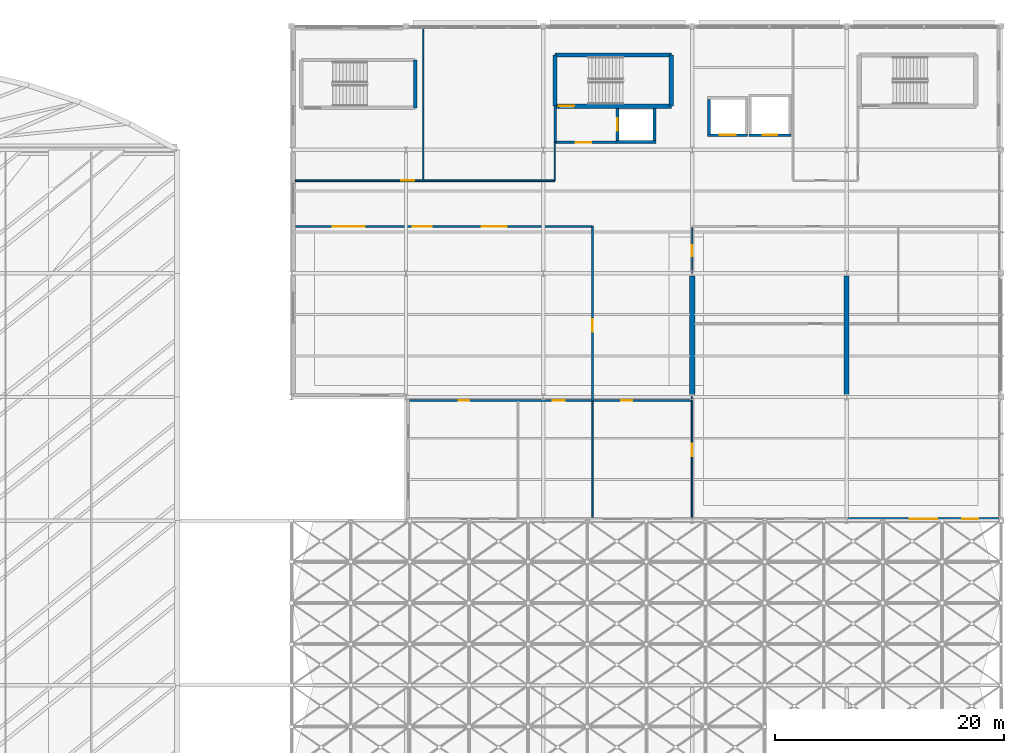
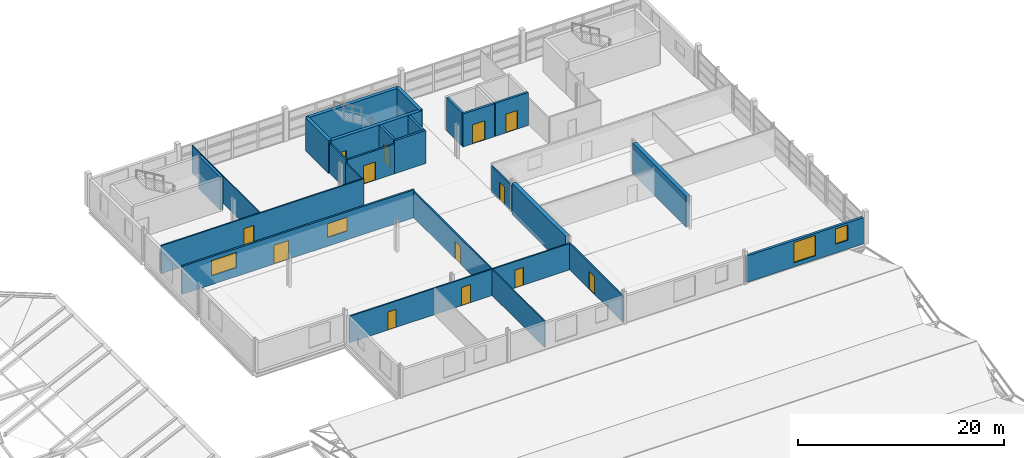
# One storey, part 103 of 110: 25 walls, 13 doors, 4 windows, 17 openings.
"""IFC4 building model written with IfcOpenShell, lengths in metres."""

from ifc_helpers import new_model, si_unit, direction, frame, frame_2d, origin, place, context, subcontext, project, spatial, rectangle, extrude, material, layer, layer_set, type_object, element, fill, save


model = new_model("IFC4")

# Units and contexts
model_context = context("Model", 3, precision=1e-05, world=origin(), true_north=direction((0.0, 1.0)))
body_context = subcontext(model_context, "Body", "Model", "MODEL_VIEW")
ifc_project = project(units=[si_unit("LENGTHUNIT", "METRE"), si_unit("AREAUNIT", "SQUARE_METRE"), si_unit("VOLUMEUNIT", "CUBIC_METRE"), si_unit("PLANEANGLEUNIT", "RADIAN"), si_unit("MASSUNIT", "GRAM", prefix="KILO")], contexts=[model_context])

# Site, building, storey
site_placement = place(None, origin())
site = spatial("IfcSite", under=ifc_project, at=site_placement, CompositionType="ELEMENT")
building_placement = place(site_placement, origin())
building = spatial("IfcBuilding", under=site, at=building_placement, Name="Tamarisk Ironworks Central Station", CompositionType="ELEMENT")
storey_placement = place(building_placement, frame((0.0, 0.0, 17.39990234375)))
storey = spatial("IfcBuildingStorey", under=building, at=storey_placement, Name="L03", CompositionType="ELEMENT", Elevation=17.39990234375)

# Wall, openings, windows
ifc_material_1 = material(Name="Clay facing brickwork and mortar", Category="masonry")
ifc_layer_1 = layer(ifc_material_1, 0.280029296875)
ifc_layer_set_1 = layer_set([ifc_layer_1], Name="Clay facing brickwork and mortar")
wall_type_1 = type_object("IfcWallType", Name="WL-BR280", PredefinedType="STANDARD", material=ifc_layer_set_1)
wall_1_placement = place(storey_placement, frame((166.64794921875, 79.340087890625, 0.0), z_axis=(0.0, 0.0, 1.0), x_axis=(1.0, 0.0, 0.0)))
wall_1 = element("IfcWall", 1, at=wall_1_placement, inside=storey, type_object=wall_type_1, Name="L03 brick facade wall 0082", PredefinedType="STANDARD", context=body_context, shape_type="SweptSolid", body=[
    extrude(rectangle(XDim=13.10400390625, YDim=0.280029296875, at=frame_2d((6.552001953125, 0.0))), origin(), (0.0, 0.0, 1.0), 3.1201171875),
])
opening_1_placement = place(wall_1_placement, frame((5.35205078125, 0.0, 0.47998046875)))
opening_1 = element("IfcOpeningElement", 2, at=opening_1_placement, cuts=wall_1, Name="Opening W06", PredefinedType="OPENING", context=body_context, shape_type="SweptSolid", body=[
    extrude(rectangle(XDim=2.39990234375, YDim=2.39990234375, at=frame_2d((1.199951171875, 1.199951171875))), frame((0.0, 0.15185546875, 0.0), z_axis=(0.0, -1.0, 0.0), x_axis=(1.0, 0.0, 0.0)), (0.0, 0.0, 1.0), 0.303955078125),
])
opening_2_placement = place(wall_1_placement, frame((9.952880859375, 0.0, 1.050048828125)))
opening_2 = element("IfcOpeningElement", 3, at=opening_2_placement, cuts=wall_1, Name="Opening W12", PredefinedType="OPENING", context=body_context, shape_type="SweptSolid", body=[
    extrude(rectangle(XDim=1.39990234375, YDim=1.800048828125, at=frame_2d((0.699951171875, 0.89990234375))), frame((0.0, 0.15185546875, 0.0), z_axis=(0.0, -1.0, 0.0), x_axis=(1.0, 0.0, 0.0)), (0.0, 0.0, 1.0), 0.303955078125),
])
ifc_material_2 = material(Name="Laminated solar-control low-E glass", Category="glass")
window_type_1 = type_object("IfcWindowType", Name="WN-06", PartitioningType="SINGLE_PANEL", PredefinedType="WINDOW", material=ifc_material_2)
window_1_placement = place(opening_1_placement, origin())
window_1 = element("IfcWindow", 4, at=window_1_placement, inside=storey, type_object=window_type_1, Name="L03 exterior window 0141", OverallHeight=2.39990234375, OverallWidth=2.39990234375, PartitioningType="DOUBLE_PANEL_VERTICAL", PredefinedType="WINDOW", context=body_context, shape_type="SweptSolid", body=[
    extrude(rectangle(XDim=2.39990234375, YDim=2.39990234375, at=frame_2d((1.199951171875, 1.199951171875))), frame((0.0, 0.030029296875, 0.0), z_axis=(0.0, -1.0, 0.0), x_axis=(1.0, 0.0, 0.0)), (0.0, 0.0, 1.0), 0.06005859375),
])
fill(opening_1, window_1)
window_type_2 = type_object("IfcWindowType", Name="WN-12", PartitioningType="SINGLE_PANEL", PredefinedType="WINDOW", material=ifc_material_2)
window_2_placement = place(opening_2_placement, origin())
window_2 = element("IfcWindow", 5, at=window_2_placement, inside=storey, type_object=window_type_2, Name="L03 exterior window 0142", OverallHeight=1.800048828125, OverallWidth=1.39990234375, PartitioningType="DOUBLE_PANEL_VERTICAL", PredefinedType="WINDOW", context=body_context, shape_type="SweptSolid", body=[
    extrude(rectangle(XDim=1.39990234375, YDim=1.800048828125, at=frame_2d((0.699951171875, 0.89990234375))), frame((0.0, 0.030029296875, 0.0), z_axis=(0.0, -1.0, 0.0), x_axis=(1.0, 0.0, 0.0)), (0.0, 0.0, 1.0), 0.06005859375),
])
fill(opening_2, window_2)

# Wall
ifc_material_3 = material(Name="Concrete C50/60", Category="concrete")
ifc_layer_2 = layer(ifc_material_3, 0.300048828125)
ifc_layer_set_2 = layer_set([ifc_layer_2], Name="Concrete C50/60")
wall_type_2 = type_object("IfcWallType", Name="WL-CW300", PredefinedType="SOLIDWALL", material=ifc_layer_set_2)
wall_2_placement = place(storey_placement, frame((128.794921875, 115.2548828125, 0.0), z_axis=(0.0, 0.0, 1.0), x_axis=(0.0, 1.0, 0.0)))
element("IfcWall", 6, at=wall_2_placement, inside=storey, type_object=wall_type_2, Name="ST-C5 core wall F (L03)", PredefinedType="SOLIDWALL", context=body_context, shape_type="SweptSolid", body=[
    extrude(rectangle(XDim=4.190185546875, YDim=0.300048828125, at=frame_2d((2.09521484375, 0.0))), origin(), (0.0, 0.0, 1.0), 3.900146484375),
])

# Wall, opening, door
ifc_layer_3 = layer(ifc_material_3, 0.3798828125)
ifc_layer_set_3 = layer_set([ifc_layer_3], Name="Concrete C50/60")
wall_type_3 = type_object("IfcWallType", Name="WL-CW380", PredefinedType="SOLIDWALL", material=ifc_layer_set_3)
wall_3_placement = place(storey_placement, frame((141.014892578125, 115.4150390625, 0.0), z_axis=(0.0, 0.0, 1.0), x_axis=(1.0, 0.0, 0.0)))
wall_3 = element("IfcWall", 7, at=wall_3_placement, inside=storey, type_object=wall_type_3, Name="ST-C1 core wall L (L03)", PredefinedType="SOLIDWALL", context=body_context, shape_type="SweptSolid", body=[
    extrude(rectangle(XDim=10.170166015625, YDim=0.3798828125, at=frame_2d((5.0849609375, 0.0))), origin(), (0.0, 0.0, 1.0), 3.900146484375),
])
opening_3_placement = place(wall_3_placement, frame((0.35009765625, 0.0, 0.0048828125)))
opening_3 = element("IfcOpeningElement", 8, at=opening_3_placement, cuts=wall_3, Name="Opening FD05", PredefinedType="OPENING", context=body_context, shape_type="SweptSolid", body=[
    extrude(rectangle(XDim=1.35009765625, YDim=2.14990234375, at=frame_2d((0.675048828125, 1.074951171875))), frame((0.0, 0.201904296875, 0.0), z_axis=(0.0, -1.0, 0.0), x_axis=(1.0, 0.0, 0.0)), (0.0, 0.0, 1.0), 0.40380859375),
])
ifc_material_4 = material(Name="Galvanised hollow-metal door steel", Category="steel")
door_type_1 = type_object("IfcDoorType", Name="DR-FD05", OperationType="NOTDEFINED", PredefinedType="DOOR", material=ifc_material_4)
door_1_placement = place(opening_3_placement, origin())
door_1 = element("IfcDoor", 9, at=door_1_placement, inside=storey, type_object=door_type_1, Name="ST-C1 fire stair door (L03)", OperationType="SINGLE_SWING_RIGHT", OverallHeight=2.14990234375, OverallWidth=1.35009765625, PredefinedType="DOOR", context=body_context, shape_type="SweptSolid", body=[
    extrude(rectangle(XDim=1.35009765625, YDim=2.14990234375, at=frame_2d((0.675048828125, 1.074951171875))), frame((0.0, 0.02490234375, 0.0), z_axis=(0.0, -1.0, 0.0), x_axis=(1.0, 0.0, 0.0)), (0.0, 0.0, 1.0), 0.050048828125),
])
fill(opening_3, door_1)

# Walls
wall_4_placement = place(storey_placement, frame((141.014892578125, 119.885009765625, 0.0), z_axis=(0.0, 0.0, 1.0), x_axis=(1.0, 0.0, 0.0)))
element("IfcWall", 10, at=wall_4_placement, inside=storey, type_object=wall_type_3, Name="ST-C1 core wall R (L03)", PredefinedType="SOLIDWALL", context=body_context, shape_type="SweptSolid", body=[
    extrude(rectangle(XDim=10.170166015625, YDim=0.3798828125, at=frame_2d((5.0849609375, 0.0))), origin(), (0.0, 0.0, 1.0), 3.900146484375),
])
for number, where, z_axis, x_axis, name in (
    (11, (141.014892578125, 115.4150390625, 0.0), (0.0, 0.0, 1.0), (0.0, 1.0, 0.0), "ST-C1 core wall N (L03)"),
    (12, (151.18505859375, 115.4150390625, 0.0), (0.0, 0.0, 1.0), (0.0, 1.0, 0.0), "ST-C1 core wall F (L03)"),
):
    element("IfcWall", number, at=place(storey_placement, frame(where, z_axis=z_axis, x_axis=x_axis)), inside=storey, type_object=wall_type_3, Name=name, PredefinedType="SOLIDWALL", context=body_context, shape_type="SweptSolid", body=[
        extrude(rectangle(XDim=4.469970703125, YDim=0.3798828125, at=frame_2d((2.23486328125, 0.0))), origin(), (0.0, 0.0, 1.0), 3.900146484375),
    ])
ifc_material_5 = material(Name="Gypsum plasterboard acoustic partition")
ifc_layer_4 = layer(ifc_material_5, 0.10009765625)
ifc_layer_set_4 = layer_set([ifc_layer_4], Name="Gypsum plasterboard acoustic partition")
wall_type_4 = type_object("IfcWallType", Name="WL-MV100", PredefinedType="MOVABLE", material=ifc_layer_set_4)
wall_5_placement = place(storey_placement, frame((129.5, 108.972900390625, 0.0), z_axis=(0.0, 0.0, 1.0), x_axis=(0.0, 1.0, 0.0)))
element("IfcWall", 13, at=wall_5_placement, inside=storey, type_object=wall_type_4, Name="L03 acoustic operable folding partition 03", PredefinedType="MOVABLE", context=body_context, shape_type="SweptSolid", body=[
    extrude(rectangle(XDim=13.189208984375, YDim=0.10009765625, at=frame_2d((6.5947265625, 0.0))), origin(), (0.0, 0.0, 1.0), 3.22021484375),
])
ifc_layer_5 = layer(ifc_material_5, 0.1201171875)
ifc_layer_set_5 = layer_set([ifc_layer_5], Name="Gypsum plasterboard acoustic partition")
wall_type_5 = type_object("IfcWallType", Name="WL-PT120", PredefinedType="PARTITIONING", material=ifc_layer_set_5)
wall_6_placement = place(storey_placement, frame((141.0, 108.89990234375, 0.0), z_axis=(0.0, 0.0, 1.0), x_axis=(0.0, 1.0, 0.0)))
element("IfcWall", 14, at=wall_6_placement, inside=storey, type_object=wall_type_5, Name="L03 interior partition 0108", PredefinedType="PARTITIONING", context=body_context, shape_type="SweptSolid", body=[
    extrude(rectangle(XDim=3.400146484375, YDim=0.1201171875, at=frame_2d((1.7001953125, 0.0))), origin(), (0.0, 0.0, 1.0), 3.1201171875),
])
wall_7_placement = place(storey_placement, frame((144.300048828125, 79.47802734375, 0.0), z_axis=(0.0, 0.0, 1.0), x_axis=(0.0, 1.0, 0.0)))
element("IfcWall", 15, at=wall_7_placement, inside=storey, type_object=wall_type_5, Name="L03 interior partition 0114", PredefinedType="PARTITIONING", context=body_context, shape_type="SweptSolid", body=[
    extrude(rectangle(XDim=10.14892578125, YDim=0.1201171875, at=frame_2d((5.074462890625, 0.0))), origin(), (0.0, 0.0, 1.0), 3.1201171875),
])

# Wall, opening, door
ifc_layer_6 = layer(ifc_material_5, 0.14990234375)
ifc_layer_set_6 = layer_set([ifc_layer_6], Name="Gypsum plasterboard acoustic partition")
wall_type_6 = type_object("IfcWallType", Name="WL-PT150", PredefinedType="PARTITIONING", material=ifc_layer_set_6)
wall_8_placement = place(storey_placement, frame((144.300048828125, 89.699951171875, 0.0), z_axis=(0.0, 0.0, 1.0), x_axis=(0.0, 1.0, 0.0)))
wall_8 = element("IfcWall", 16, at=wall_8_placement, inside=storey, type_object=wall_type_6, Name="L03 interior partition 0103", PredefinedType="PARTITIONING", context=body_context, shape_type="SweptSolid", body=[
    extrude(rectangle(XDim=15.199951171875, YDim=0.14990234375, at=frame_2d((7.60009765625, 0.0))), origin(), (0.0, 0.0, 1.0), 3.1201171875),
])
opening_4_placement = place(wall_8_placement, frame((6.0, 0.0, 0.0048828125)))
opening_4 = element("IfcOpeningElement", 17, at=opening_4_placement, cuts=wall_8, Name="Opening D05", PredefinedType="OPENING", context=body_context, shape_type="SweptSolid", body=[
    extrude(rectangle(XDim=1.10009765625, YDim=2.10009765625, at=frame_2d((0.550048828125, 1.050048828125))), frame((0.0, 0.0869140625, 0.0), z_axis=(0.0, -1.0, 0.0), x_axis=(1.0, 0.0, 0.0)), (0.0, 0.0, 1.0), 0.173828125),
])
ifc_material_6 = material(Name="FSC certified tropical hardwood timber", Category="wood")
door_type_2 = type_object("IfcDoorType", Name="DR-ID05", OperationType="NOTDEFINED", PredefinedType="DOOR", material=ifc_material_6)
door_2_placement = place(opening_4_placement, origin())
door_2 = element("IfcDoor", 18, at=door_2_placement, inside=storey, type_object=door_type_2, Name="L03 room door 0075", OperationType="SINGLE_SWING_LEFT", OverallHeight=2.10009765625, OverallWidth=1.10009765625, PredefinedType="DOOR", context=body_context, shape_type="SweptSolid", body=[
    extrude(rectangle(XDim=1.10009765625, YDim=2.10009765625, at=frame_2d((0.550048828125, 1.050048828125))), frame((0.0, 0.02490234375, 0.0), z_axis=(0.0, -1.0, 0.0), x_axis=(1.0, 0.0, 0.0)), (0.0, 0.0, 1.0), 0.050048828125),
])
fill(opening_4, door_2)

wall_9_placement = place(storey_placement, frame((153.0, 79.47802734375, 0.0), z_axis=(0.0, 0.0, 1.0), x_axis=(0.0, 1.0, 0.0)))
wall_9 = element("IfcWall", 19, at=wall_9_placement, inside=storey, type_object=wall_type_6, Name="L03 interior partition 0104", PredefinedType="PARTITIONING", context=body_context, shape_type="SweptSolid", body=[
    extrude(rectangle(XDim=10.52197265625, YDim=0.14990234375, at=frame_2d((5.260986328125, 0.0))), origin(), (0.0, 0.0, 1.0), 3.1201171875),
])
opening_5_placement = place(wall_9_placement, frame((5.322021484375, 0.0, 0.0048828125)))
opening_5 = element("IfcOpeningElement", 20, at=opening_5_placement, cuts=wall_9, Name="Opening D05", PredefinedType="OPENING", context=body_context, shape_type="SweptSolid", body=[
    extrude(rectangle(XDim=1.10009765625, YDim=2.10009765625, at=frame_2d((0.550048828125, 1.050048828125))), frame((0.0, 0.0869140625, 0.0), z_axis=(0.0, -1.0, 0.0), x_axis=(1.0, 0.0, 0.0)), (0.0, 0.0, 1.0), 0.173828125),
])
door_3_placement = place(opening_5_placement, origin())
door_3 = element("IfcDoor", 21, at=door_3_placement, inside=storey, type_object=door_type_2, Name="L03 room door 0076", OperationType="SINGLE_SWING_RIGHT", OverallHeight=2.10009765625, OverallWidth=1.10009765625, PredefinedType="DOOR", context=body_context, shape_type="SweptSolid", body=[
    extrude(rectangle(XDim=1.10009765625, YDim=2.10009765625, at=frame_2d((0.550048828125, 1.050048828125))), frame((0.0, 0.02490234375, 0.0), z_axis=(0.0, -1.0, 0.0), x_axis=(1.0, 0.0, 0.0)), (0.0, 0.0, 1.0), 0.050048828125),
])
fill(opening_5, door_3)

wall_10_placement = place(storey_placement, frame((153.0, 100.800048828125, 0.0), z_axis=(0.0, 0.0, 1.0), x_axis=(0.0, 1.0, 0.0)))
wall_10 = element("IfcWall", 22, at=wall_10_placement, inside=storey, type_object=wall_type_6, Name="L03 interior partition 0105", PredefinedType="PARTITIONING", context=body_context, shape_type="SweptSolid", body=[
    extrude(rectangle(XDim=4.001953125, YDim=0.14990234375, at=frame_2d((2.0009765625, 0.0))), origin(), (0.0, 0.0, 1.0), 3.1201171875),
])
opening_6_placement = place(wall_10_placement, frame((1.5, 0.0, 0.0048828125)))
opening_6 = element("IfcOpeningElement", 23, at=opening_6_placement, cuts=wall_10, Name="Opening D07", PredefinedType="OPENING", context=body_context, shape_type="SweptSolid", body=[
    extrude(rectangle(XDim=0.949951171875, YDim=2.10009765625, at=frame_2d((0.47509765625, 1.050048828125))), frame((0.0, 0.0869140625, 0.0), z_axis=(0.0, -1.0, 0.0), x_axis=(1.0, 0.0, 0.0)), (0.0, 0.0, 1.0), 0.173828125),
])
door_type_3 = type_object("IfcDoorType", Name="DR-ID07", OperationType="NOTDEFINED", PredefinedType="DOOR", material=ifc_material_6)
door_4_placement = place(opening_6_placement, origin())
door_4 = element("IfcDoor", 24, at=door_4_placement, inside=storey, type_object=door_type_3, Name="L03 room door 0077", OperationType="SINGLE_SWING_RIGHT", OverallHeight=2.10009765625, OverallWidth=0.949951171875, PredefinedType="DOOR", context=body_context, shape_type="SweptSolid", body=[
    extrude(rectangle(XDim=0.949951171875, YDim=2.10009765625, at=frame_2d((0.47509765625, 1.050048828125))), frame((0.0, 0.02490234375, 0.0), z_axis=(0.0, -1.0, 0.0), x_axis=(1.0, 0.0, 0.0)), (0.0, 0.0, 1.0), 0.050048828125),
])
fill(opening_6, door_4)

wall_11_placement = place(storey_placement, frame((118.337890625, 108.89990234375, 0.0), z_axis=(0.0, 0.0, 1.0), x_axis=(1.0, 0.0, 0.0)))
wall_11 = element("IfcWall", 25, at=wall_11_placement, inside=storey, type_object=wall_type_6, Name="L03 interior partition 0107", PredefinedType="PARTITIONING", context=body_context, shape_type="SweptSolid", body=[
    extrude(rectangle(XDim=22.662109375, YDim=0.14990234375, at=frame_2d((11.3310546875, 0.0))), origin(), (0.0, 0.0, 1.0), 3.31005859375),
])
opening_7_placement = place(wall_11_placement, frame((9.261962890625, 0.0, 0.0048828125)))
opening_7 = element("IfcOpeningElement", 26, at=opening_7_placement, cuts=wall_11, Name="Opening D05", PredefinedType="OPENING", context=body_context, shape_type="SweptSolid", body=[
    extrude(rectangle(XDim=1.10009765625, YDim=2.10009765625, at=frame_2d((0.550048828125, 1.050048828125))), frame((0.0, 0.0869140625, 0.0), z_axis=(0.0, -1.0, 0.0), x_axis=(1.0, 0.0, 0.0)), (0.0, 0.0, 1.0), 0.173828125),
])
door_5_placement = place(opening_7_placement, origin())
door_5 = element("IfcDoor", 27, at=door_5_placement, inside=storey, type_object=door_type_2, Name="L03 room door 0079", OperationType="SINGLE_SWING_LEFT", OverallHeight=2.10009765625, OverallWidth=1.10009765625, PredefinedType="DOOR", context=body_context, shape_type="SweptSolid", body=[
    extrude(rectangle(XDim=1.10009765625, YDim=2.10009765625, at=frame_2d((0.550048828125, 1.050048828125))), frame((0.0, 0.02490234375, 0.0), z_axis=(0.0, -1.0, 0.0), x_axis=(1.0, 0.0, 0.0)), (0.0, 0.0, 1.0), 0.050048828125),
])
fill(opening_7, door_5)

# Wall, openings, doors
wall_12_placement = place(storey_placement, frame((128.30810546875, 89.699951171875, 0.0), z_axis=(0.0, 0.0, 1.0), x_axis=(1.0, 0.0, 0.0)))
wall_12 = element("IfcWall", 28, at=wall_12_placement, inside=storey, type_object=wall_type_6, Name="L03 interior partition 0112", PredefinedType="PARTITIONING", context=body_context, shape_type="SweptSolid", body=[
    extrude(rectangle(XDim=24.618896484375, YDim=0.14990234375, at=frame_2d((12.3095703125, 0.0))), origin(), (0.0, 0.0, 1.0), 3.1201171875),
])
opening_8_placement = place(wall_12_placement, frame((4.2919921875, 0.0, 0.0048828125)))
opening_8 = element("IfcOpeningElement", 29, at=opening_8_placement, cuts=wall_12, Name="Opening WC01", PredefinedType="OPENING", context=body_context, shape_type="SweptSolid", body=[
    extrude(rectangle(XDim=0.919921875, YDim=2.1201171875, at=frame_2d((0.4599609375, 1.06005859375))), frame((0.0, 0.0869140625, 0.0), z_axis=(0.0, -1.0, 0.0), x_axis=(1.0, 0.0, 0.0)), (0.0, 0.0, 1.0), 0.173828125),
])
opening_9_placement = place(wall_12_placement, frame((12.491943359375, 0.0, 0.0048828125)))
opening_9 = element("IfcOpeningElement", 30, at=opening_9_placement, cuts=wall_12, Name="Opening WC02", PredefinedType="OPENING", context=body_context, shape_type="SweptSolid", body=[
    extrude(rectangle(XDim=1.050048828125, YDim=2.14990234375, at=frame_2d((0.52490234375, 1.074951171875))), frame((0.0, 0.0869140625, 0.0), z_axis=(0.0, -1.0, 0.0), x_axis=(1.0, 0.0, 0.0)), (0.0, 0.0, 1.0), 0.173828125),
])
opening_10_placement = place(wall_12_placement, frame((18.491943359375, 0.0, 0.0048828125)))
opening_10 = element("IfcOpeningElement", 31, at=opening_10_placement, cuts=wall_12, Name="Opening D07", PredefinedType="OPENING", context=body_context, shape_type="SweptSolid", body=[
    extrude(rectangle(XDim=0.949951171875, YDim=2.10009765625, at=frame_2d((0.47509765625, 1.050048828125))), frame((0.0, 0.0869140625, 0.0), z_axis=(0.0, -1.0, 0.0), x_axis=(1.0, 0.0, 0.0)), (0.0, 0.0, 1.0), 0.173828125),
])
door_6_placement = place(opening_10_placement, origin())
door_6 = element("IfcDoor", 32, at=door_6_placement, inside=storey, type_object=door_type_3, Name="L03 room door 0084", OperationType="SINGLE_SWING_LEFT", OverallHeight=2.10009765625, OverallWidth=0.949951171875, PredefinedType="DOOR", context=body_context, shape_type="SweptSolid", body=[
    extrude(rectangle(XDim=0.949951171875, YDim=2.10009765625, at=frame_2d((0.47509765625, 1.050048828125))), frame((0.0, 0.02490234375, 0.0), z_axis=(0.0, -1.0, 0.0), x_axis=(1.0, 0.0, 0.0)), (0.0, 0.0, 1.0), 0.050048828125),
])
fill(opening_10, door_6)
door_type_4 = type_object("IfcDoorType", Name="DR-WC01", OperationType="NOTDEFINED", PredefinedType="DOOR", material=ifc_material_6)
door_7_placement = place(opening_8_placement, origin())
door_7 = element("IfcDoor", 33, at=door_7_placement, inside=storey, type_object=door_type_4, Name="L03 room door 0082", OperationType="SINGLE_SWING_LEFT", OverallHeight=2.1201171875, OverallWidth=0.919921875, PredefinedType="DOOR", context=body_context, shape_type="SweptSolid", body=[
    extrude(rectangle(XDim=0.919921875, YDim=2.1201171875, at=frame_2d((0.4599609375, 1.06005859375))), frame((0.0, 0.02490234375, 0.0), z_axis=(0.0, -1.0, 0.0), x_axis=(1.0, 0.0, 0.0)), (0.0, 0.0, 1.0), 0.050048828125),
])
fill(opening_8, door_7)
door_type_5 = type_object("IfcDoorType", Name="DR-WC02", OperationType="NOTDEFINED", PredefinedType="DOOR", material=ifc_material_6)
door_8_placement = place(opening_9_placement, origin())
door_8 = element("IfcDoor", 34, at=door_8_placement, inside=storey, type_object=door_type_5, Name="L03 room door 0083", OperationType="SINGLE_SWING_RIGHT", OverallHeight=2.14990234375, OverallWidth=1.050048828125, PredefinedType="DOOR", context=body_context, shape_type="SweptSolid", body=[
    extrude(rectangle(XDim=1.050048828125, YDim=2.14990234375, at=frame_2d((0.52490234375, 1.074951171875))), frame((0.0, 0.02490234375, 0.0), z_axis=(0.0, -1.0, 0.0), x_axis=(1.0, 0.0, 0.0)), (0.0, 0.0, 1.0), 0.050048828125),
])
fill(opening_9, door_8)

# Wall, opening, door
ifc_layer_7 = layer(ifc_material_1, 0.199951171875)
ifc_layer_set_7 = layer_set([ifc_layer_7], Name="Clay facing brickwork and mortar")
wall_type_7 = type_object("IfcWallType", Name="WL-PT200", PredefinedType="PARTITIONING", material=ifc_layer_set_7)
wall_13_placement = place(storey_placement, frame((141.050048828125, 112.25, 0.0), z_axis=(0.0, 0.0, 1.0), x_axis=(1.0, 0.0, 0.0)))
wall_13 = element("IfcWall", 35, at=wall_13_placement, inside=storey, type_object=wall_type_7, Name="Firefighting lift lobby south wall (L03)", PredefinedType="PARTITIONING", context=body_context, shape_type="SweptSolid", body=[
    extrude(rectangle(XDim=5.300048828125, YDim=0.199951171875, at=frame_2d((2.64990234375, 0.0))), origin(), (0.0, 0.0, 1.0), 3.5),
])
opening_11_placement = place(wall_13_placement, frame((1.800048828125, 0.0, 0.0048828125)))
opening_11 = element("IfcOpeningElement", 36, at=opening_11_placement, cuts=wall_13, Name="Opening FD05", PredefinedType="OPENING", context=body_context, shape_type="SweptSolid", body=[
    extrude(rectangle(XDim=1.35009765625, YDim=2.14990234375, at=frame_2d((0.675048828125, 1.074951171875))), frame((0.0, 0.11181640625, 0.0), z_axis=(0.0, -1.0, 0.0), x_axis=(1.0, 0.0, 0.0)), (0.0, 0.0, 1.0), 0.223876953125),
])
door_9_placement = place(opening_11_placement, origin())
door_9 = element("IfcDoor", 37, at=door_9_placement, inside=storey, type_object=door_type_1, Name="Firefighting lift lobby fire door (L03)", OperationType="SINGLE_SWING_RIGHT", OverallHeight=2.14990234375, OverallWidth=1.35009765625, PredefinedType="DOOR", context=body_context, shape_type="SweptSolid", body=[
    extrude(rectangle(XDim=1.35009765625, YDim=2.14990234375, at=frame_2d((0.675048828125, 1.074951171875))), frame((0.0, 0.02490234375, 0.0), z_axis=(0.0, -1.0, 0.0), x_axis=(1.0, 0.0, 0.0)), (0.0, 0.0, 1.0), 0.050048828125),
])
fill(opening_11, door_9)

# Wall
wall_14_placement = place(storey_placement, frame((141.050048828125, 112.25, 0.0), z_axis=(0.0, 0.0, 1.0), x_axis=(0.0, 1.0, 0.0)))
element("IfcWall", 38, at=wall_14_placement, inside=storey, type_object=wall_type_7, Name="Firefighting lift lobby west wall (L03)", PredefinedType="PARTITIONING", context=body_context, shape_type="SweptSolid", body=[
    extrude(rectangle(XDim=3.199951171875, YDim=0.199951171875, at=frame_2d((1.60009765625, 0.0))), origin(), (0.0, 0.0, 1.0), 3.5),
])

# Wall, openings, door, windows
wall_15_placement = place(storey_placement, frame((118.337890625, 104.89990234375, 0.0), z_axis=(0.0, 0.0, 1.0), x_axis=(1.0, 0.0, 0.0)))
wall_15 = element("IfcWall", 39, at=wall_15_placement, inside=storey, type_object=wall_type_7, Name="L03 interior partition 0101", PredefinedType="PARTITIONING", context=body_context, shape_type="SweptSolid", body=[
    extrude(rectangle(XDim=25.962158203125, YDim=0.199951171875, at=frame_2d((12.98095703125, 0.0))), origin(), (0.0, 0.0, 1.0), 3.31005859375),
])
opening_12_placement = place(wall_15_placement, frame((10.261962890625, 0.0, 0.0048828125)))
opening_12 = element("IfcOpeningElement", 40, at=opening_12_placement, cuts=wall_15, Name="Opening D03", PredefinedType="OPENING", context=body_context, shape_type="SweptSolid", body=[
    extrude(rectangle(XDim=1.64990234375, YDim=2.199951171875, at=frame_2d((0.824951171875, 1.10009765625))), frame((0.0, 0.11181640625, 0.0), z_axis=(0.0, -1.0, 0.0), x_axis=(1.0, 0.0, 0.0)), (0.0, 0.0, 1.0), 0.223876953125),
])
opening_13_placement = place(wall_15_placement, frame((3.261962890625, 0.0, 1.050048828125)))
opening_13 = element("IfcOpeningElement", 41, at=opening_13_placement, cuts=wall_15, Name="Opening W20", PredefinedType="OPENING", context=body_context, shape_type="SweptSolid", body=[
    extrude(rectangle(XDim=2.800048828125, YDim=1.800048828125, at=frame_2d((1.39990234375, 0.89990234375))), frame((0.0, 0.11181640625, 0.0), z_axis=(0.0, -1.0, 0.0), x_axis=(1.0, 0.0, 0.0)), (0.0, 0.0, 1.0), 0.223876953125),
])
opening_14_placement = place(wall_15_placement, frame((16.261962890625, 0.0, 1.050048828125)))
opening_14 = element("IfcOpeningElement", 42, at=opening_14_placement, cuts=wall_15, Name="Opening W21", PredefinedType="OPENING", context=body_context, shape_type="SweptSolid", body=[
    extrude(rectangle(XDim=2.199951171875, YDim=1.60009765625, at=frame_2d((1.10009765625, 0.800048828125))), frame((0.0, 0.11181640625, 0.0), z_axis=(0.0, -1.0, 0.0), x_axis=(1.0, 0.0, 0.0)), (0.0, 0.0, 1.0), 0.223876953125),
])
door_type_6 = type_object("IfcDoorType", Name="DR-ID03", OperationType="NOTDEFINED", PredefinedType="DOOR", material=ifc_material_6)
door_10_placement = place(opening_12_placement, origin())
door_10 = element("IfcDoor", 43, at=door_10_placement, inside=storey, type_object=door_type_6, Name="L03 room door 0073", OperationType="DOUBLE_DOOR_SINGLE_SWING", OverallHeight=2.199951171875, OverallWidth=1.64990234375, PredefinedType="DOOR", context=body_context, shape_type="SweptSolid", body=[
    extrude(rectangle(XDim=1.64990234375, YDim=2.199951171875, at=frame_2d((0.824951171875, 1.10009765625))), frame((0.0, 0.02490234375, 0.0), z_axis=(0.0, -1.0, 0.0), x_axis=(1.0, 0.0, 0.0)), (0.0, 0.0, 1.0), 0.050048828125),
])
fill(opening_12, door_10)
window_type_3 = type_object("IfcWindowType", Name="WN-20", PartitioningType="SINGLE_PANEL", PredefinedType="WINDOW", material=ifc_material_2)
window_3_placement = place(opening_13_placement, origin())
window_3 = element("IfcWindow", 44, at=window_3_placement, inside=storey, type_object=window_type_3, Name="L03 internal observation window", OverallHeight=1.800048828125, OverallWidth=2.800048828125, PartitioningType="DOUBLE_PANEL_VERTICAL", PredefinedType="WINDOW", context=body_context, shape_type="SweptSolid", body=[
    extrude(rectangle(XDim=2.800048828125, YDim=1.800048828125, at=frame_2d((1.39990234375, 0.89990234375))), frame((0.0, 0.030029296875, 0.0), z_axis=(0.0, -1.0, 0.0), x_axis=(1.0, 0.0, 0.0)), (0.0, 0.0, 1.0), 0.06005859375),
])
fill(opening_13, window_3)
window_type_4 = type_object("IfcWindowType", Name="WN-21", PartitioningType="SINGLE_PANEL", PredefinedType="WINDOW", material=ifc_material_2)
window_4_placement = place(opening_14_placement, origin())
window_4 = element("IfcWindow", 45, at=window_4_placement, inside=storey, type_object=window_type_4, Name="L03 internal observation window", OverallHeight=1.60009765625, OverallWidth=2.199951171875, PartitioningType="DOUBLE_PANEL_VERTICAL", PredefinedType="WINDOW", context=body_context, shape_type="SweptSolid", body=[
    extrude(rectangle(XDim=2.199951171875, YDim=1.60009765625, at=frame_2d((1.10009765625, 0.800048828125))), frame((0.0, 0.030029296875, 0.0), z_axis=(0.0, -1.0, 0.0), x_axis=(1.0, 0.0, 0.0)), (0.0, 0.0, 1.0), 0.06005859375),
])
fill(opening_14, window_4)

# Wall
ifc_layer_8 = layer(ifc_material_3, 0.25)
ifc_layer_set_8 = layer_set([ifc_layer_8], Name="Concrete C50/60")
wall_type_8 = type_object("IfcWallType", Name="WL-SH250", PredefinedType="SOLIDWALL", material=ifc_layer_set_8)
wall_16_placement = place(storey_placement, frame((146.35009765625, 112.27490234375, 0.0), z_axis=(0.0, 0.0, 1.0), x_axis=(1.0, 0.0, 0.0)))
element("IfcWall", 46, at=wall_16_placement, inside=storey, type_object=wall_type_8, Name="LF-FF1 lift shaft wall S (L03)", PredefinedType="SOLIDWALL", context=body_context, shape_type="SweptSolid", body=[
    extrude(rectangle(XDim=3.5, YDim=0.25, at=frame_2d((1.75, 0.0))), origin(), (0.0, 0.0, 1.0), 3.900146484375),
])

# Wall, opening, door
wall_17_placement = place(storey_placement, frame((146.47509765625, 112.39990234375, 0.0), z_axis=(0.0, 0.0, 1.0), x_axis=(0.0, 1.0, 0.0)))
wall_17 = element("IfcWall", 47, at=wall_17_placement, inside=storey, type_object=wall_type_8, Name="LF-FF1 lift shaft wall W (L03)", PredefinedType="SOLIDWALL", context=body_context, shape_type="SweptSolid", body=[
    extrude(rectangle(XDim=2.800048828125, YDim=0.25, at=frame_2d((1.39990234375, 0.0))), origin(), (0.0, 0.0, 1.0), 3.900146484375),
])
opening_15_placement = place(wall_17_placement, frame((0.85009765625, 0.0, 0.0048828125)))
opening_15 = element("IfcOpeningElement", 48, at=opening_15_placement, cuts=wall_17, Name="Opening LD03", PredefinedType="OPENING", context=body_context, shape_type="SweptSolid", body=[
    extrude(rectangle(XDim=1.10009765625, YDim=2.14990234375, at=frame_2d((0.550048828125, 1.074951171875))), frame((0.0, 0.136962890625, 0.0), z_axis=(0.0, -1.0, 0.0), x_axis=(1.0, 0.0, 0.0)), (0.0, 0.0, 1.0), 0.27392578125),
])
ifc_material_7 = material(Name="Brushed stainless steel AISI 316", Category="steel")
door_type_7 = type_object("IfcDoorType", Name="DR-LD03", OperationType="NOTDEFINED", PredefinedType="DOOR", material=ifc_material_7)
door_11_placement = place(opening_15_placement, origin())
door_11 = element("IfcDoor", 49, at=door_11_placement, inside=storey, type_object=door_type_7, Name="LF-FF1 sliding lift landing door (L03)", OperationType="SLIDING_TO_LEFT", OverallHeight=2.14990234375, OverallWidth=1.10009765625, PredefinedType="DOOR", context=body_context, shape_type="SweptSolid", body=[
    extrude(rectangle(XDim=1.10009765625, YDim=2.14990234375, at=frame_2d((0.550048828125, 1.074951171875))), frame((0.0, 0.02490234375, 0.0), z_axis=(0.0, -1.0, 0.0), x_axis=(1.0, 0.0, 0.0)), (0.0, 0.0, 1.0), 0.050048828125),
])
fill(opening_15, door_11)

# Wall
wall_18_placement = place(storey_placement, frame((149.72509765625, 112.39990234375, 0.0), z_axis=(0.0, 0.0, 1.0), x_axis=(0.0, 1.0, 0.0)))
element("IfcWall", 50, at=wall_18_placement, inside=storey, type_object=wall_type_8, Name="LF-FF1 lift shaft wall E (L03)", PredefinedType="SOLIDWALL", context=body_context, shape_type="SweptSolid", body=[
    extrude(rectangle(XDim=2.800048828125, YDim=0.25, at=frame_2d((1.39990234375, 0.0))), origin(), (0.0, 0.0, 1.0), 3.900146484375),
])

# Wall, opening, door
wall_19_placement = place(storey_placement, frame((154.35009765625, 112.875, 0.0), z_axis=(0.0, 0.0, 1.0), x_axis=(1.0, 0.0, 0.0)))
wall_19 = element("IfcWall", 51, at=wall_19_placement, inside=storey, type_object=wall_type_8, Name="LF-O1 lift shaft wall S (L03)", PredefinedType="SOLIDWALL", context=body_context, shape_type="SweptSolid", body=[
    extrude(rectangle(XDim=3.5, YDim=0.25, at=frame_2d((1.75, 0.0))), origin(), (0.0, 0.0, 1.0), 3.900146484375),
])
opening_16_placement = place(wall_19_placement, frame((1.050048828125, 0.0, 0.0048828125)))
opening_16 = element("IfcOpeningElement", 52, at=opening_16_placement, cuts=wall_19, Name="Opening LD01", PredefinedType="OPENING", context=body_context, shape_type="SweptSolid", body=[
    extrude(rectangle(XDim=1.39990234375, YDim=2.25, at=frame_2d((0.699951171875, 1.125))), frame((0.0, 0.136962890625, 0.0), z_axis=(0.0, -1.0, 0.0), x_axis=(1.0, 0.0, 0.0)), (0.0, 0.0, 1.0), 0.27392578125),
])
door_type_8 = type_object("IfcDoorType", Name="DR-LD01", OperationType="NOTDEFINED", PredefinedType="DOOR", material=ifc_material_7)
door_12_placement = place(opening_16_placement, origin())
door_12 = element("IfcDoor", 53, at=door_12_placement, inside=storey, type_object=door_type_8, Name="LF-O1 sliding lift landing door (L03)", OperationType="SLIDING_TO_LEFT", OverallHeight=2.25, OverallWidth=1.39990234375, PredefinedType="DOOR", context=body_context, shape_type="SweptSolid", body=[
    extrude(rectangle(XDim=1.39990234375, YDim=2.25, at=frame_2d((0.699951171875, 1.125))), frame((0.0, 0.02490234375, 0.0), z_axis=(0.0, -1.0, 0.0), x_axis=(1.0, 0.0, 0.0)), (0.0, 0.0, 1.0), 0.050048828125),
])
fill(opening_16, door_12)

# Wall
wall_20_placement = place(storey_placement, frame((154.47509765625, 113.0, 0.0), z_axis=(0.0, 0.0, 1.0), x_axis=(0.0, 1.0, 0.0)))
element("IfcWall", 54, at=wall_20_placement, inside=storey, type_object=wall_type_8, Name="LF-O1 lift shaft wall W (L03)", PredefinedType="SOLIDWALL", context=body_context, shape_type="SweptSolid", body=[
    extrude(rectangle(XDim=3.0, YDim=0.25, at=frame_2d((1.5, 0.0))), origin(), (0.0, 0.0, 1.0), 3.900146484375),
])

# Wall, opening, door
wall_21_placement = place(storey_placement, frame((157.949951171875, 112.875, 0.0), z_axis=(0.0, 0.0, 1.0), x_axis=(1.0, 0.0, 0.0)))
wall_21 = element("IfcWall", 55, at=wall_21_placement, inside=storey, type_object=wall_type_8, Name="LF-O2 lift shaft wall S (L03)", PredefinedType="SOLIDWALL", context=body_context, shape_type="SweptSolid", body=[
    extrude(rectangle(XDim=3.699951171875, YDim=0.25, at=frame_2d((1.85009765625, 0.0))), origin(), (0.0, 0.0, 1.0), 3.900146484375),
])
opening_17_placement = place(wall_21_placement, frame((1.22509765625, 0.0, 0.0048828125)))
opening_17 = element("IfcOpeningElement", 56, at=opening_17_placement, cuts=wall_21, Name="Opening LD02", PredefinedType="OPENING", context=body_context, shape_type="SweptSolid", body=[
    extrude(rectangle(XDim=1.25, YDim=2.199951171875, at=frame_2d((0.625, 1.10009765625))), frame((0.0, 0.136962890625, 0.0), z_axis=(0.0, -1.0, 0.0), x_axis=(1.0, 0.0, 0.0)), (0.0, 0.0, 1.0), 0.27392578125),
])
door_type_9 = type_object("IfcDoorType", Name="DR-LD02", OperationType="NOTDEFINED", PredefinedType="DOOR", material=ifc_material_7)
door_13_placement = place(opening_17_placement, origin())
door_13 = element("IfcDoor", 57, at=door_13_placement, inside=storey, type_object=door_type_9, Name="LF-O2 sliding lift landing door (L03)", OperationType="SLIDING_TO_LEFT", OverallHeight=2.199951171875, OverallWidth=1.25, PredefinedType="DOOR", context=body_context, shape_type="SweptSolid", body=[
    extrude(rectangle(XDim=1.25, YDim=2.199951171875, at=frame_2d((0.625, 1.10009765625))), frame((0.0, 0.02490234375, 0.0), z_axis=(0.0, -1.0, 0.0), x_axis=(1.0, 0.0, 0.0)), (0.0, 0.0, 1.0), 0.050048828125),
])
fill(opening_17, door_13)

# Walls
ifc_layer_9 = layer(ifc_material_3, 0.419921875)
ifc_layer_set_9 = layer_set([ifc_layer_9], Name="Concrete C50/60")
wall_type_9 = type_object("IfcWallType", Name="WL-SW420", PredefinedType="SHEAR", material=ifc_layer_set_9)
wall_22_placement = place(storey_placement, frame((166.5, 90.222900390625, 0.0), z_axis=(0.0, 0.0, 1.0), x_axis=(0.0, 1.0, 0.0)))
element("IfcWall", 58, at=wall_22_placement, inside=storey, type_object=wall_type_9, Name="L03 lateral shear wall 14", PredefinedType="SHEAR", context=body_context, shape_type="SweptSolid", body=[
    extrude(rectangle(XDim=10.35400390625, YDim=0.419921875, at=frame_2d((5.177001953125, 0.0))), origin(), (0.0, 0.0, 1.0), 3.68017578125),
])
ifc_layer_10 = layer(ifc_material_3, 0.4599609375)
ifc_layer_set_10 = layer_set([ifc_layer_10], Name="Concrete C50/60")
wall_type_10 = type_object("IfcWallType", Name="WL-SW460", PredefinedType="SHEAR", material=ifc_layer_set_10)
wall_23_placement = place(storey_placement, frame((153.0, 90.222900390625, 0.0), z_axis=(0.0, 0.0, 1.0), x_axis=(0.0, 1.0, 0.0)))
element("IfcWall", 59, at=wall_23_placement, inside=storey, type_object=wall_type_10, Name="L03 lateral shear wall 13", PredefinedType="SHEAR", context=body_context, shape_type="SweptSolid", body=[
    extrude(rectangle(XDim=10.35400390625, YDim=0.4599609375, at=frame_2d((5.177001953125, 0.0))), origin(), (0.0, 0.0, 1.0), 3.68017578125),
])

save(model, "model.ifc")
